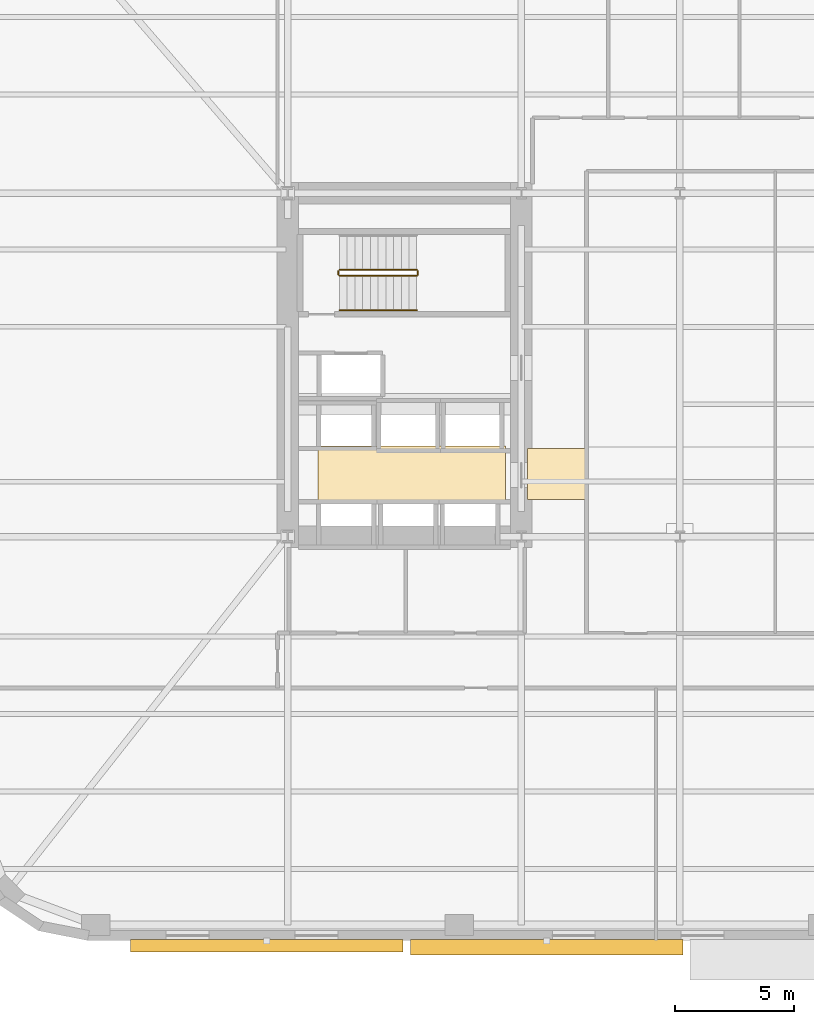
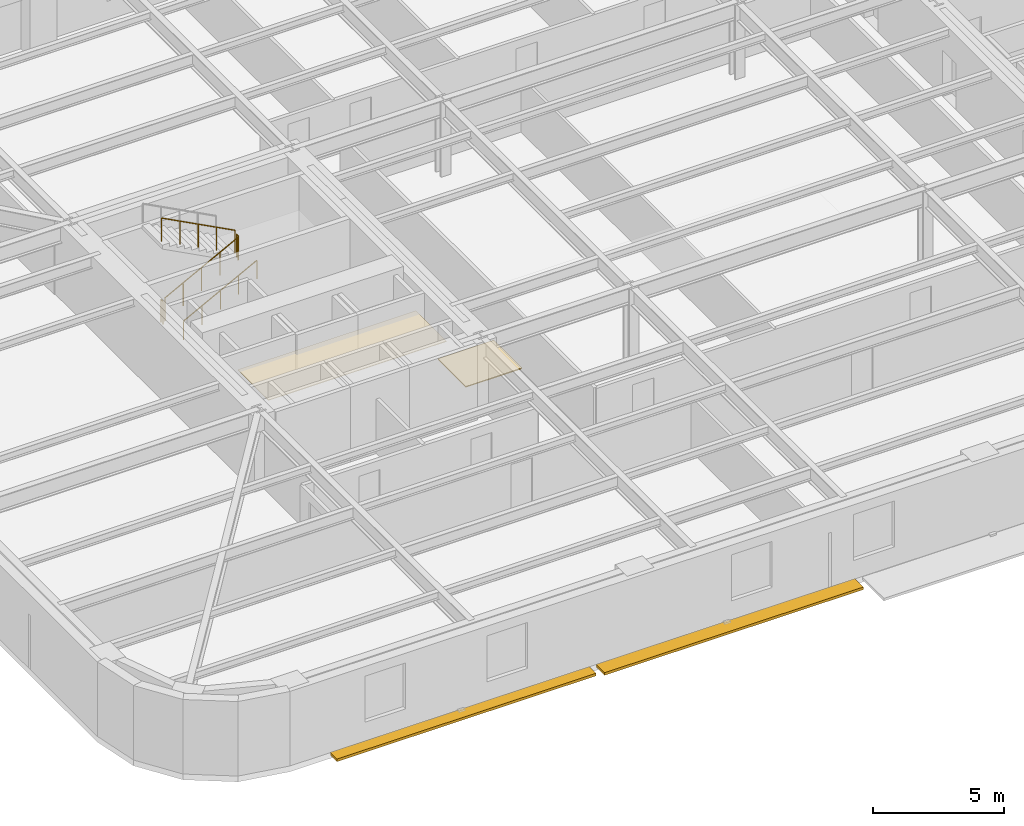
# One storey, part 9 of 14: 5 railings, 2 coverings, 2 shading devices.
"""IFC4 building model written with IfcOpenShell, lengths in metres."""

from ifc_helpers import new_model, si_unit, direction, frame, origin, origin_2d, place, context, subcontext, project, spatial, polyline, rectangle, circle, outline, extrude, material, layer, layer_set, type_object, element, save


model = new_model("IFC4")

# Units and contexts
model_context = context("Model", 3, precision=1e-05, world=origin(), true_north=direction((0.0, 1.0)))
body_context = subcontext(model_context, "Body", "Model", "MODEL_VIEW")
ifc_project = project(units=[si_unit("LENGTHUNIT", "METRE"), si_unit("AREAUNIT", "SQUARE_METRE"), si_unit("VOLUMEUNIT", "CUBIC_METRE"), si_unit("PLANEANGLEUNIT", "RADIAN"), si_unit("MASSUNIT", "GRAM", prefix="KILO")], contexts=[model_context])

# Site, building, storey
site_placement = place(None, origin())
site = spatial("IfcSite", under=ifc_project, at=site_placement, CompositionType="ELEMENT")
building_placement = place(site_placement, origin())
building = spatial("IfcBuilding", under=site, at=building_placement, Name="Kolvaren Arena Tower", CompositionType="ELEMENT")
storey_placement = place(building_placement, frame((0.0, 0.0, 53.25)))
storey = spatial("IfcBuildingStorey", under=building, at=storey_placement, Name="L10", CompositionType="ELEMENT", Elevation=53.25)

# Coverings
ifc_material_1 = material(Name="Moisture-resistant gypsum ceiling", Category="gypsum")
ifc_layer_1 = layer(ifc_material_1, 0.030029296875)
ifc_layer_set_1 = layer_set([ifc_layer_1], Name="Moisture-resistant gypsum ceiling")
covering_type_1 = type_object("IfcCoveringType", Name="CEIL-GYP-1", PredefinedType="CEILING", material=ifc_layer_set_1)
covering_1_placement = place(storey_placement, frame((0.0, 0.0, 2.52001953125)))
element("IfcCovering", 1, at=covering_1_placement, inside=storey, type_object=covering_type_1, Name="Suspended Ceiling (L10)", PredefinedType="CEILING", context=body_context, shape_type="SweptSolid", body=[
    extrude(outline(polyline([(15.820068359375, 20.89990234375), (15.820068359375, 23.239990234375), (23.679931640625, 23.239990234375), (23.679931640625, 20.89990234375), (15.820068359375, 20.89990234375)])), origin(), (0.0, 0.0, 1.0), 0.030029296875),
])
ifc_material_2 = material(Name="Raised access office floor finish", Category="aluminium")
ifc_layer_2 = layer(ifc_material_2, 0.044921875)
ifc_layer_set_2 = layer_set([ifc_layer_2], Name="Raised access office floor finish")
covering_type_2 = type_object("IfcCoveringType", Name="FLOR-RAF-1", PredefinedType="FLOORING", material=ifc_layer_set_2)
covering_2_placement = place(storey_placement, origin())
element("IfcCovering", 2, at=covering_2_placement, inside=storey, type_object=covering_type_2, Name="Floor Finish (L10)", PredefinedType="FLOORING", context=body_context, shape_type="SweptSolid", body=[
    extrude(outline(polyline([(24.60009765625, 21.0), (24.60009765625, 23.14990234375), (27.080078125, 23.14990234375), (27.080078125, 21.0), (24.60009765625, 21.0)])), origin(), (0.0, 0.0, 1.0), 0.044921875),
])

# Railings
ifc_material_3 = material(Name="Painted galvanized steel", Category="steel")
railing_type_1 = type_object("IfcRailingType", Name="GUARD-ST-110", PredefinedType="GUARDRAIL", material=ifc_material_3)
railing_1_placement = place(storey_placement, frame((16.719970703125, 30.389892578125, 0.17041015625)))
element("IfcRailing", 3, at=railing_1_placement, inside=storey, type_object=railing_type_1, Name="L10 ST-W1 stair guard 1", PredefinedType="GUARDRAIL", context=body_context, shape_type="SweptSolid", body=[
    extrude(circle(Radius=0.02392578125, at=origin_2d()), frame((0.0, 0.0, 1.076171875), z_axis=(0.884993431791, 0.0, 0.465603506952), x_axis=(0.0, 1.0, 0.0)), (0.0, 0.0, 1.0), 3.6611328125),
    extrude(circle(Radius=0.02099609375, at=origin_2d()), origin(), (0.0, 0.0, 1.0), 1.052001953125),
    extrude(circle(Radius=0.02099609375, at=origin_2d()), frame((0.81005859375, 0.0, 0.42626953125)), (0.0, 0.0, 1.0), 1.052001953125),
    extrude(circle(Radius=0.02099609375, at=origin_2d()), frame((1.6201171875, 0.0, 0.852294921875)), (0.0, 0.0, 1.0), 1.052001953125),
    extrude(circle(Radius=0.02099609375, at=origin_2d()), frame((2.429931640625, 0.0, 1.2783203125)), (0.0, 0.0, 1.0), 1.052001953125),
    extrude(circle(Radius=0.02099609375, at=origin_2d()), frame((3.239990234375, 0.0, 1.70458984375)), (0.0, 0.0, 1.0), 1.052001953125),
])
railing_2_placement = place(storey_placement, frame((20.010009765625, 30.43994140625, 1.875)))
element("IfcRailing", 4, at=railing_2_placement, inside=storey, type_object=railing_type_1, Name="L10 ST-W1 stair guard 2", PredefinedType="GUARDRAIL", context=body_context, shape_type="SweptSolid", body=[
    extrude(circle(Radius=0.02392578125, at=origin_2d()), frame((0.0, 0.0, 1.076171875), z_axis=(0.0, 1.0, 0.0), x_axis=(-1.0, 0.0, 0.0)), (0.0, 0.0, 1.0), 0.150146484375),
    extrude(circle(Radius=0.02099609375, at=origin_2d()), origin(), (0.0, 0.0, 1.0), 1.052001953125),
    extrude(circle(Radius=0.02099609375, at=origin_2d()), frame((0.0, 0.150146484375, 0.0)), (0.0, 0.0, 1.0), 1.052001953125),
])
railing_3_placement = place(storey_placement, frame((19.9599609375, 30.639892578125, 2.04541015625)))
element("IfcRailing", 5, at=railing_3_placement, inside=storey, type_object=railing_type_1, Name="L10 ST-W1 stair guard 3", PredefinedType="GUARDRAIL", context=body_context, shape_type="SweptSolid", body=[
    extrude(circle(Radius=0.02392578125, at=origin_2d()), frame((0.0, 0.0, 1.076171875), z_axis=(-0.884993431791, 0.0, 0.465603506952), x_axis=(0.0, -1.0, 0.0)), (0.0, 0.0, 1.0), 3.6611328125),
    extrude(circle(Radius=0.02099609375, at=origin_2d()), origin(), (0.0, 0.0, 1.0), 1.052001953125),
    extrude(circle(Radius=0.02099609375, at=origin_2d()), frame((-0.81005859375, 0.0, 0.42626953125)), (0.0, 0.0, 1.0), 1.052001953125),
    extrude(circle(Radius=0.02099609375, at=origin_2d()), frame((-1.6201171875, 0.0, 0.852294921875)), (0.0, 0.0, 1.0), 1.052001953125),
    extrude(circle(Radius=0.02099609375, at=origin_2d()), frame((-2.429931640625, 0.0, 1.2783203125)), (0.0, 0.0, 1.0), 1.052001953125),
    extrude(circle(Radius=0.02099609375, at=origin_2d()), frame((-3.239990234375, 0.0, 1.70458984375)), (0.0, 0.0, 1.0), 1.052001953125),
])
railing_4_placement = place(storey_placement, frame((16.669921875, 30.43994140625, 0.0)))
element("IfcRailing", 6, at=railing_4_placement, inside=storey, type_object=railing_type_1, Name="L10 ST-W1 stair guard 4", PredefinedType="GUARDRAIL", context=body_context, shape_type="SweptSolid", body=[
    extrude(circle(Radius=0.02392578125, at=origin_2d()), frame((0.0, 0.0, 1.076171875), z_axis=(0.0, 1.0, 0.0), x_axis=(-1.0, 0.0, 0.0)), (0.0, 0.0, 1.0), 0.150146484375),
    extrude(circle(Radius=0.02099609375, at=origin_2d()), origin(), (0.0, 0.0, 1.0), 1.052001953125),
    extrude(circle(Radius=0.02099609375, at=origin_2d()), frame((0.0, 0.150146484375, 0.0)), (0.0, 0.0, 1.0), 1.052001953125),
])
ifc_material_4 = material(Name="Brushed stainless steel handrail", Category="steel")
railing_type_2 = type_object("IfcRailingType", Name="HRAIL-900", PredefinedType="HANDRAIL", material=ifc_material_4)
railing_5_placement = place(storey_placement, frame((16.719970703125, 28.949951171875, 0.17041015625)))
element("IfcRailing", 7, at=railing_5_placement, inside=storey, type_object=railing_type_2, Name="L10 ST-W1 stair handrail 1", PredefinedType="HANDRAIL", context=body_context, shape_type="SweptSolid", body=[
    extrude(circle(Radius=0.02392578125, at=origin_2d()), frame((0.0, 0.0, 0.8759765625), z_axis=(0.884993431791, 0.0, 0.465603506952), x_axis=(0.0, 1.0, 0.0)), (0.0, 0.0, 1.0), 3.6611328125),
    extrude(circle(Radius=0.02099609375, at=origin_2d()), origin(), (0.0, 0.0, 1.0), 0.851806640625),
    extrude(circle(Radius=0.02099609375, at=origin_2d()), frame((0.81005859375, 0.0, 0.42626953125)), (0.0, 0.0, 1.0), 0.851806640625),
    extrude(circle(Radius=0.02099609375, at=origin_2d()), frame((1.6201171875, 0.0, 0.852294921875)), (0.0, 0.0, 1.0), 0.851806640625),
    extrude(circle(Radius=0.02099609375, at=origin_2d()), frame((2.429931640625, 0.0, 1.2783203125)), (0.0, 0.0, 1.0), 0.851806640625),
    extrude(circle(Radius=0.02099609375, at=origin_2d()), frame((3.239990234375, 0.0, 1.70458984375)), (0.0, 0.0, 1.0), 0.851806640625),
])

# Shading devices
ifc_material_5 = material(Name="Architectural precast GFRC and anodised aluminium sunshade", Category="concrete")
shading_device_type = type_object("IfcShadingDeviceType", Name="SHAD-SINE-A", PredefinedType="USERDEFINED", material=ifc_material_5)
shading_device_1_placement = place(storey_placement, frame((25.409912109375, 2.220947265625, -0.14013671875), z_axis=(0.0, 0.0, 1.0), x_axis=(-1.0, 0.0, 0.0)))
element("IfcShadingDevice", 8, at=shading_device_1_placement, inside=storey, type_object=shading_device_type, Name="Sinusoidal Slab-Edge Sunshade Louvre (L10)", ObjectType="LOUVRE", PredefinedType="USERDEFINED", context=body_context, shape_type="SweptSolid", body=[
    extrude(rectangle(XDim=11.43994140625, YDim=0.658203125, at=origin_2d()), origin(), (0.0, 0.0, 1.0), 0.1201171875),
])
shading_device_2_placement = place(storey_placement, frame((13.669921875, 2.286376953125, -0.14013671875), z_axis=(0.0, 0.0, 1.0), x_axis=(-1.0, 0.0, 0.0)))
element("IfcShadingDevice", 9, at=shading_device_2_placement, inside=storey, type_object=shading_device_type, Name="Sinusoidal Slab-Edge Sunshade Louvre (L10)", ObjectType="LOUVRE", PredefinedType="USERDEFINED", context=body_context, shape_type="SweptSolid", body=[
    extrude(rectangle(XDim=11.43994140625, YDim=0.52734375, at=origin_2d()), origin(), (0.0, 0.0, 1.0), 0.1201171875),
])

save(model, "model.ifc")
